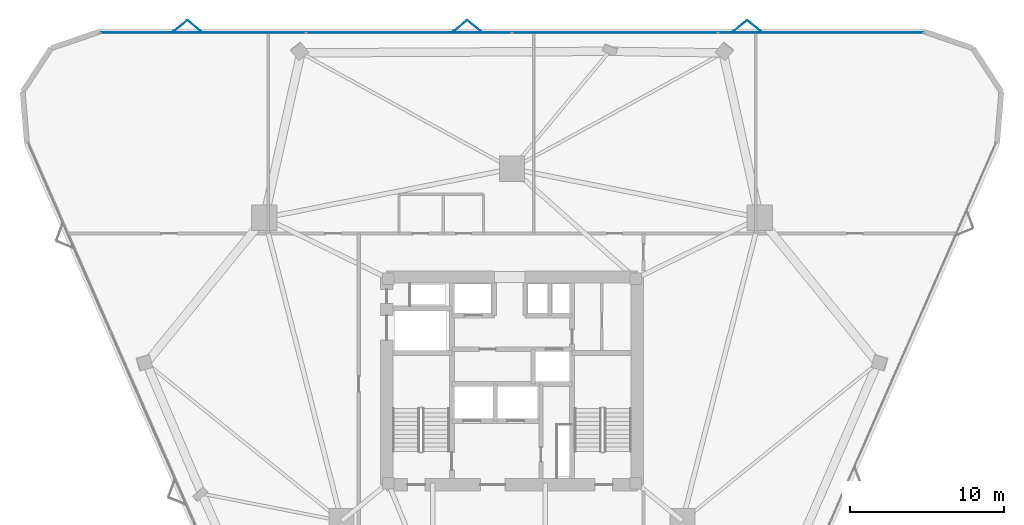
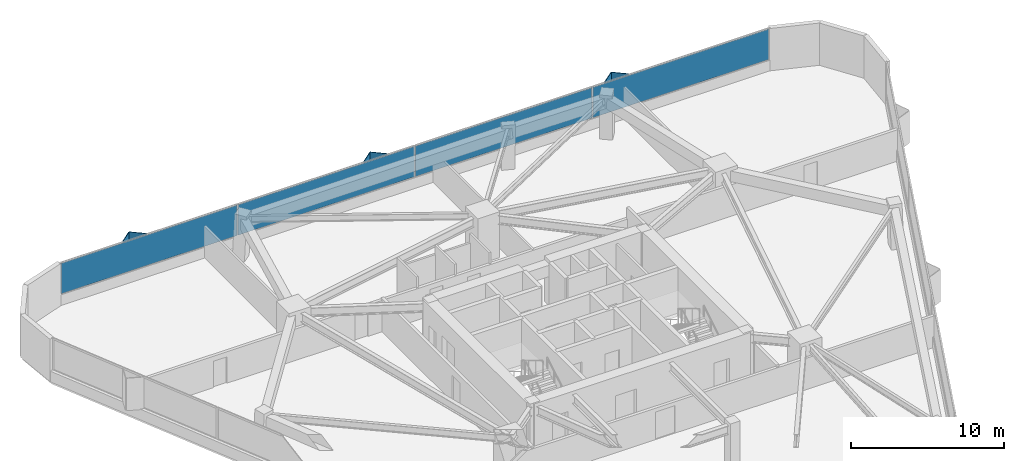
# One storey, part 14 of 19: 10 plates, 1 element without a shape of its own.
"""IFC4 building model written with IfcOpenShell, lengths in metres."""

from ifc_helpers import new_model, si_unit, direction, frame, origin, origin_2d, place, context, subcontext, project, spatial, rectangle, extrude, material, layer, layer_set, type_object, element, aggregate, save


model = new_model("IFC4")

# Units and contexts
model_context = context("Model", 3, precision=1e-05, world=origin(), true_north=direction((0.0, 1.0)))
body_context = subcontext(model_context, "Body", "Model", "MODEL_VIEW")
ifc_project = project(units=[si_unit("LENGTHUNIT", "METRE"), si_unit("AREAUNIT", "SQUARE_METRE"), si_unit("VOLUMEUNIT", "CUBIC_METRE"), si_unit("PLANEANGLEUNIT", "RADIAN"), si_unit("MASSUNIT", "GRAM", prefix="KILO")], contexts=[model_context])

# Site, building, storey
site_placement = place(None, origin())
site = spatial("IfcSite", under=ifc_project, at=site_placement, CompositionType="ELEMENT")
building_placement = place(site_placement, origin())
building = spatial("IfcBuilding", under=site, at=building_placement, Name="Talyreon Biosciences Tower", CompositionType="ELEMENT")
storey_placement = place(building_placement, frame((0.0, 0.0, 85.949951171875)))
storey = spatial("IfcBuildingStorey", under=building, at=storey_placement, Name="L22", CompositionType="ELEMENT", Elevation=85.949951171875)

# Curtain wall, plates
ifc_material_1 = material(Name="Thermally broken aluminium and low-E glazing", Category="aluminium")
ifc_layer_1 = layer(ifc_material_1, 0.18994140625)
ifc_layer_set_1 = layer_set([ifc_layer_1], Name="Thermally broken aluminium and low-E glazing")
curtain_wall_type = type_object("IfcCurtainWallType", Name="CurtainWall_Zone2Genomics", PredefinedType="NOTDEFINED", material=ifc_layer_set_1)
curtain_wall_placement = place(storey_placement, origin())
curtain_wall = element("IfcCurtainWall", 1, at=curtain_wall_placement, inside=storey, type_object=curtain_wall_type, Name="L22 Unitised Curtain Wall FCW-L22-04", PredefinedType="NOTDEFINED")
ifc_material_2 = material(Name="Triple-silver low-E insulated glazing", Category="glass")
ifc_layer_2 = layer(ifc_material_2, 0.031982421875)
ifc_layer_set_2 = layer_set([ifc_layer_2], Name="Triple-silver low-E insulated glazing")
plate_type_1 = type_object("IfcPlateType", Name="CWGlazingPanel_32", PredefinedType="CURTAIN_PANEL", material=ifc_layer_set_2)
plate_1_placement = place(storey_placement, frame((45.927734375, 90.64013671875, 0.875), z_axis=(0.0, 0.0, 1.0), x_axis=(1.0, 0.0, 0.0)))
plate_1 = element("IfcPlate", 2, at=plate_1_placement, type_object=plate_type_1, Name="CW3 panel 1.1", PredefinedType="CURTAIN_PANEL", context=body_context, shape_type="SweptSolid", body=[
    extrude(rectangle(XDim=13.294921875, YDim=0.031982421875, at=origin_2d()), origin(), (0.0, 0.0, 1.0), 2.43505859375),
])
plate_2_placement = place(storey_placement, frame((59.303955078125, 90.64013671875, 0.875), z_axis=(0.0, 0.0, 1.0), x_axis=(1.0, 0.0, 0.0)))
plate_2 = element("IfcPlate", 3, at=plate_2_placement, type_object=plate_type_1, Name="CW3 panel 2.1", PredefinedType="CURTAIN_PANEL", context=body_context, shape_type="SweptSolid", body=[
    extrude(rectangle(XDim=13.327392578125, YDim=0.031982421875, at=origin_2d()), origin(), (0.0, 0.0, 1.0), 2.43505859375),
])
plate_3_placement = place(storey_placement, frame((72.696044921875, 90.64013671875, 0.875), z_axis=(0.0, 0.0, 1.0), x_axis=(1.0, 0.0, 0.0)))
plate_3 = element("IfcPlate", 4, at=plate_3_placement, type_object=plate_type_1, Name="CW3 panel 3.1", PredefinedType="CURTAIN_PANEL", context=body_context, shape_type="SweptSolid", body=[
    extrude(rectangle(XDim=13.327392578125, YDim=0.031982421875, at=origin_2d()), origin(), (0.0, 0.0, 1.0), 2.43505859375),
])
plate_4_placement = place(storey_placement, frame((86.072265625, 90.64013671875, 0.875), z_axis=(0.0, 0.0, 1.0), x_axis=(1.0, 0.0, 0.0)))
plate_4 = element("IfcPlate", 5, at=plate_4_placement, type_object=plate_type_1, Name="CW3 panel 4.1", PredefinedType="CURTAIN_PANEL", context=body_context, shape_type="SweptSolid", body=[
    extrude(rectangle(XDim=13.294921875, YDim=0.031982421875, at=origin_2d()), origin(), (0.0, 0.0, 1.0), 2.43505859375),
])
aggregate(curtain_wall, [plate_1, plate_2, plate_3, plate_4])

# Plates
ifc_material_3 = material(Name="Ivory GFRC sunshade panel", Category="concrete")
ifc_layer_3 = layer(ifc_material_3, 0.044921875)
ifc_layer_set_3 = layer_set([ifc_layer_3], Name="Ivory GFRC sunshade panel")
plate_type_2 = type_object("IfcPlateType", Name="FoldedVSunshade_NorthFace_SUNSHADE", PredefinedType="USERDEFINED", material=ifc_layer_set_3)
for number, where, z_axis, x_axis, name in (
    (6, (44.435302734375, 91.080078125, 0.7900390625), (0.0, 0.0, 1.0), (0.771624583388, 0.636078220278, 0.0), "L22 Folded V-Sunshade Panel 04.01L"),
    (7, (45.33544921875, 91.080078125, 0.7900390625), (0.0, 0.0, 1.0), (0.771624583388, -0.636078220278, 0.0), "L22 Folded V-Sunshade Panel 04.01R"),
    (8, (62.635498046875, 91.080078125, 0.7900390625), (0.0, 0.0, 1.0), (0.771624583388, 0.636078220278, 0.0), "L22 Folded V-Sunshade Panel 04.02L"),
    (9, (63.535400390625, 91.080078125, 0.7900390625), (0.0, 0.0, 1.0), (0.771624583388, -0.636078220278, 0.0), "L22 Folded V-Sunshade Panel 04.02R"),
    (10, (80.83544921875, 91.080078125, 0.7900390625), (0.0, 0.0, 1.0), (0.771624583388, 0.636078220278, 0.0), "L22 Folded V-Sunshade Panel 04.03L"),
    (11, (81.7353515625, 91.080078125, 0.7900390625), (0.0, 0.0, 1.0), (0.771624583388, -0.636078220278, 0.0), "L22 Folded V-Sunshade Panel 04.03R"),
):
    element("IfcPlate", number, at=place(storey_placement, frame(where, z_axis=z_axis, x_axis=x_axis)), inside=storey, type_object=plate_type_2, Name=name, ObjectType="SUNSHADE", PredefinedType="USERDEFINED", context=body_context, shape_type="SweptSolid", body=[
        extrude(rectangle(XDim=1.14990234375, YDim=0.044921875, at=origin_2d()), origin(), (0.0, 0.0, 1.0), 2.5849609375),
    ])

save(model, "model.ifc")
